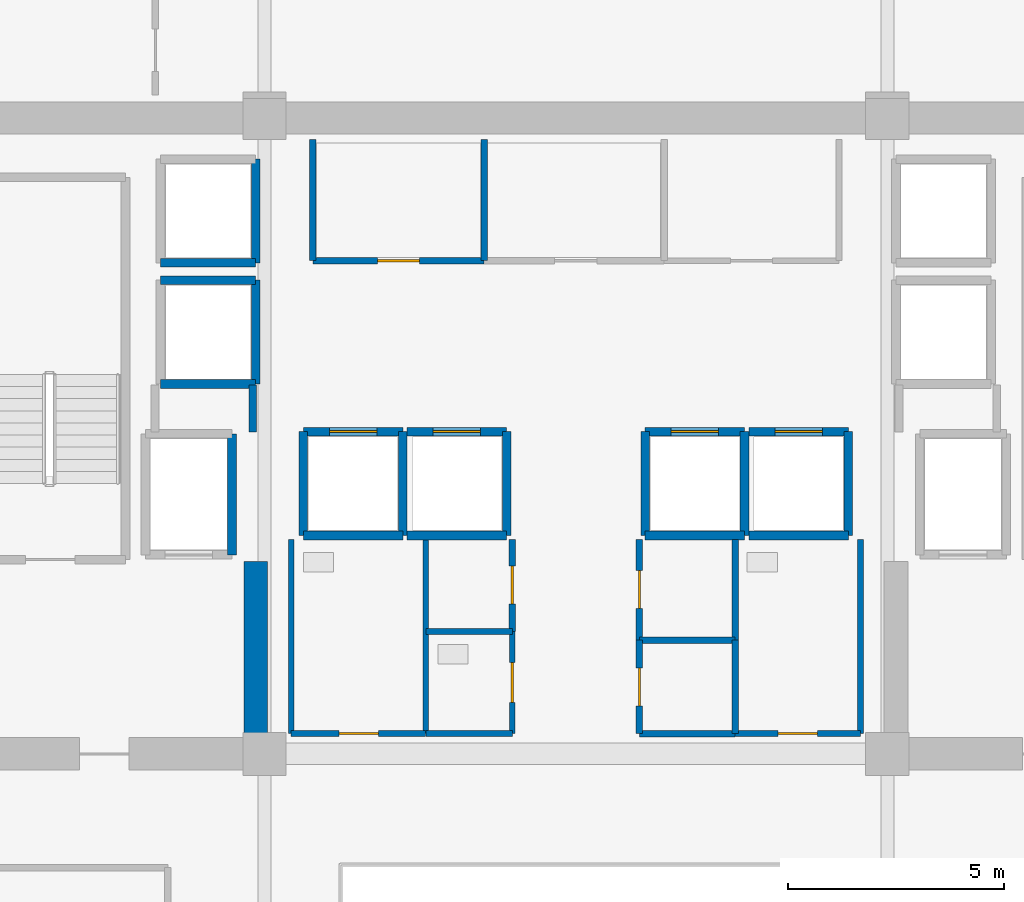
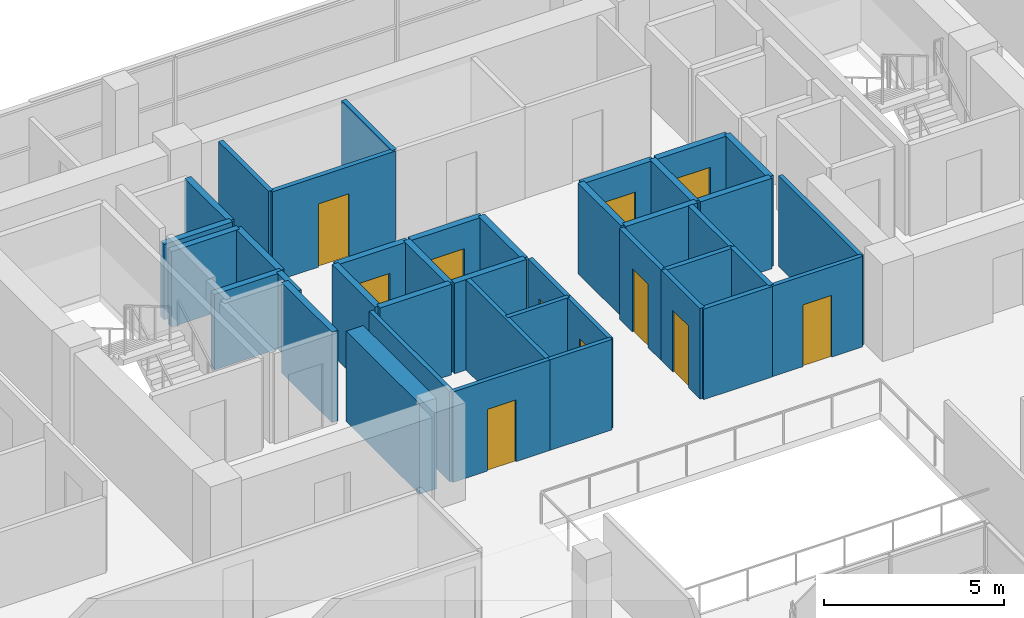
# One storey, part 16 of 22: 40 walls, 11 doors, 11 openings.
"""IFC4 building model written with IfcOpenShell, lengths in metres."""

from ifc_helpers import new_model, si_unit, direction, frame, frame_2d, origin, place, context, subcontext, project, spatial, rectangle, extrude, source, transform, mapped, material, layer, layer_set, type_object, element, fill, save


model = new_model("IFC4")

# Units and contexts
model_context = context("Model", 3, precision=1e-05, world=origin(), true_north=direction((0.0, 1.0)))
body_context = subcontext(model_context, "Body", "Model", "MODEL_VIEW")
ifc_project = project(units=[si_unit("LENGTHUNIT", "METRE"), si_unit("AREAUNIT", "SQUARE_METRE"), si_unit("VOLUMEUNIT", "CUBIC_METRE"), si_unit("PLANEANGLEUNIT", "RADIAN"), si_unit("MASSUNIT", "GRAM", prefix="KILO")], contexts=[model_context])

# Site, building, storey
site_placement = place(None, origin())
site = spatial("IfcSite", under=ifc_project, at=site_placement, CompositionType="ELEMENT")
building_placement = place(site_placement, origin())
building = spatial("IfcBuilding", under=site, at=building_placement, Name="Zarnakvel Exchange Tower", CompositionType="ELEMENT")
storey_placement = place(building_placement, frame((0.0, 0.0, 192.39990234375)))
storey = spatial("IfcBuildingStorey", under=building, at=storey_placement, Name="L54", CompositionType="ELEMENT", Elevation=192.39990234375)

# Wall
ifc_material_1 = material(Name="Concrete C60/75", Category="concrete")
ifc_layer_1 = layer(ifc_material_1, 0.550048828125)
ifc_layer_set_1 = layer_set([ifc_layer_1], Name="Concrete C60/75")
wall_type_1 = type_object("IfcWallType", Name="CW-C4", PredefinedType="SHEAR", material=ifc_layer_set_1)
wall_1_placement = place(storey_placement, frame((-7.39990234375, -0.824951171875, 0.0), z_axis=(0.0, 0.0, 1.0), x_axis=(0.0, 1.0, 0.0)))
element("IfcWall", 1, at=wall_1_placement, inside=storey, type_object=wall_type_1, Name="L54 Rear Core Shear Wall IW (CW-C4)", PredefinedType="SHEAR", context=body_context, shape_type="SweptSolid", body=[
    extrude(rectangle(XDim=4.074951171875, YDim=0.550048828125, at=frame_2d((2.03759765625, 0.0))), origin(), (0.0, 0.0, 1.0), 3.0751953125),
])

# Wall, opening, door
ifc_material_2 = material(Name="Fire-Rated Gypsum Stud Partition", Category="gypsum")
ifc_layer_2 = layer(ifc_material_2, 0.14990234375)
ifc_layer_set_2 = layer_set([ifc_layer_2], Name="Fire-Rated Gypsum Stud Partition")
wall_type_2 = type_object("IfcWallType", Name="PT-01", PredefinedType="PARTITIONING", material=ifc_layer_set_2)
wall_2_placement = place(storey_placement, frame((-2.1201171875, 10.199951171875, 0.0), z_axis=(0.0, 0.0, 1.0), x_axis=(-1.0, 0.0, 0.0)))
wall_2 = element("IfcWall", 2, at=wall_2_placement, inside=storey, type_object=wall_type_2, Name="L54 Partition Wall PWALL-L54-011 (PT-01)", PredefinedType="PARTITIONING", context=body_context, shape_type="SweptSolid", body=[
    extrude(rectangle(XDim=3.9599609375, YDim=0.14990234375, at=frame_2d((1.97998046875, 0.0))), origin(), (0.0, 0.0, 1.0), 3.0751953125),
])
opening_1_placement = place(wall_2_placement, frame((1.489990234375, 0.0, 0.0)))
opening_1 = element("IfcOpeningElement", 3, at=opening_1_placement, cuts=wall_2, Name="Opening D-L54-05", PredefinedType="OPENING", context=body_context, shape_type="SweptSolid", body=[
    extrude(rectangle(XDim=0.97998046875, YDim=2.14990234375, at=frame_2d((0.489990234375, 1.074951171875))), frame((0.0, 0.0849609375, 0.0), z_axis=(0.0, -1.0, 0.0), x_axis=(1.0, 0.0, 0.0)), (0.0, 0.0, 1.0), 0.169921875),
])
ifc_material_3 = material(Name="Timber Acoustic Veneer", Category="wood")
door_type_1 = type_object("IfcDoorType", Name="DT-05", OperationType="NOTDEFINED", PredefinedType="DOOR", material=ifc_material_3)
shared_shape_1 = source(origin(), body_context, "Body", "SweptSolid", [
    extrude(rectangle(XDim=0.97998046875, YDim=2.14990234375, at=frame_2d((0.489990234375, 1.074951171875))), frame((0.0, 0.02490234375, 0.0), z_axis=(0.0, -1.0, 0.0), x_axis=(1.0, 0.0, 0.0)), (0.0, 0.0, 1.0), 0.050048828125),
])
door_1_placement = place(opening_1_placement, origin())
door_1 = element("IfcDoor", 4, at=door_1_placement, inside=storey, type_object=door_type_1, Name="L54 Clearing Records Office Door D-L54-05", OperationType="SINGLE_SWING_RIGHT", OverallHeight=2.14990234375, OverallWidth=0.97998046875, PredefinedType="DOOR", context=body_context, shape_type="MappedRepresentation", body=[
    mapped(shared_shape_1, transform((0.0, 0.0, 0.0), x_axis=(1.0, 0.0, 0.0), y_axis=(0.0, 1.0, 0.0), z_axis=(0.0, 0.0, 1.0), scale=1.0)),
])
fill(opening_1, door_1)

# Walls
for number, where, z_axis, x_axis, name in (
    (5, (-6.080078125, 10.199951171875, 0.0), (0.0, 0.0, 1.0), (0.0, 1.0, 0.0), "L54 Partition Wall PWALL-L54-012 (PT-01)"),
    (6, (-2.1201171875, 13.0, 0.0), (0.0, 0.0, 1.0), (0.0, -1.0, 0.0), "L54 Partition Wall PWALL-L54-013 (PT-01)"),
):
    element("IfcWall", number, at=place(storey_placement, frame(where, z_axis=z_axis, x_axis=x_axis)), inside=storey, type_object=wall_type_2, Name=name, PredefinedType="PARTITIONING", context=body_context, shape_type="SweptSolid", body=[
        extrude(rectangle(XDim=2.800048828125, YDim=0.14990234375, at=frame_2d((1.39990234375, 0.0))), origin(), (0.0, 0.0, 1.0), 3.0751953125),
    ])

# Wall, opening, door
wall_3_placement = place(storey_placement, frame((-1.469970703125, 3.760009765625, 0.0), z_axis=(0.0, 0.0, 1.0), x_axis=(0.0, -1.0, 0.0)))
wall_3 = element("IfcWall", 7, at=wall_3_placement, inside=storey, type_object=wall_type_2, Name="L54 Partition Wall PWALL-L54-024 (PT-01)", PredefinedType="PARTITIONING", context=body_context, shape_type="SweptSolid", body=[
    extrude(rectangle(XDim=2.130126953125, YDim=0.14990234375, at=frame_2d((1.06494140625, 0.0))), origin(), (0.0, 0.0, 1.0), 3.0751953125),
])
opening_2_placement = place(wall_3_placement, frame((0.6201171875, 0.0, 0.0)))
opening_2 = element("IfcOpeningElement", 8, at=opening_2_placement, cuts=wall_3, Name="Opening D-L54-10", PredefinedType="OPENING", context=body_context, shape_type="SweptSolid", body=[
    extrude(rectangle(XDim=0.8798828125, YDim=2.10009765625, at=frame_2d((0.43994140625, 1.050048828125))), frame((0.0, 0.0849609375, 0.0), z_axis=(0.0, -1.0, 0.0), x_axis=(1.0, 0.0, 0.0)), (0.0, 0.0, 1.0), 0.169921875),
])
ifc_material_4 = material(Name="Painted Galvanised Steel S355", Category="steel")
door_type_2 = type_object("IfcDoorType", Name="DT-08", OperationType="NOTDEFINED", PredefinedType="DOOR", material=ifc_material_4)
shared_shape_2 = source(origin(), body_context, "Body", "SweptSolid", [
    extrude(rectangle(XDim=0.8798828125, YDim=2.10009765625, at=frame_2d((0.43994140625, 1.050048828125))), frame((0.0, 0.02490234375, 0.0), z_axis=(0.0, -1.0, 0.0), x_axis=(1.0, 0.0, 0.0)), (0.0, 0.0, 1.0), 0.050048828125),
])
door_2_placement = place(opening_2_placement, origin())
door_2 = element("IfcDoor", 9, at=door_2_placement, inside=storey, type_object=door_type_2, Name="L54 Core Comms Room Door D-L54-10", OperationType="SINGLE_SWING_LEFT", OverallHeight=2.10009765625, OverallWidth=0.8798828125, PredefinedType="DOOR", context=body_context, shape_type="MappedRepresentation", body=[
    mapped(shared_shape_2, transform((0.0, 0.0, 0.0), x_axis=(1.0, 0.0, 0.0), y_axis=(0.0, 1.0, 0.0), z_axis=(0.0, 0.0, 1.0), scale=1.0)),
])
fill(opening_2, door_2)

# Walls
for number, where, z_axis, x_axis, name in (
    (10, (3.679931640625, -0.72998046875, 0.0), (0.0, 0.0, 1.0), (-1.0, 0.0, 0.0), "L54 Partition Wall PWALL-L54-025 (PT-01)"),
    (11, (1.469970703125, 1.429931640625, 0.0), (0.0, 0.0, 1.0), (1.0, 0.0, 0.0), "L54 Partition Wall PWALL-L54-026 (PT-01)"),
):
    element("IfcWall", number, at=place(storey_placement, frame(where, z_axis=z_axis, x_axis=x_axis)), inside=storey, type_object=wall_type_2, Name=name, PredefinedType="PARTITIONING", context=body_context, shape_type="SweptSolid", body=[
        extrude(rectangle(XDim=2.2099609375, YDim=0.14990234375, at=frame_2d((1.10498046875, 0.0))), origin(), (0.0, 0.0, 1.0), 3.0751953125),
    ])

# Wall, opening, door
wall_4_placement = place(storey_placement, frame((1.469970703125, -0.72998046875, 0.0), z_axis=(0.0, 0.0, 1.0), x_axis=(0.0, 1.0, 0.0)))
wall_4 = element("IfcWall", 12, at=wall_4_placement, inside=storey, type_object=wall_type_2, Name="L54 Partition Wall PWALL-L54-027 (PT-01)", PredefinedType="PARTITIONING", context=body_context, shape_type="SweptSolid", body=[
    extrude(rectangle(XDim=2.159912109375, YDim=0.14990234375, at=frame_2d((1.080078125, 0.0))), origin(), (0.0, 0.0, 1.0), 3.0751953125),
])
opening_3_placement = place(wall_4_placement, frame((0.639892578125, 0.0, 0.0)))
opening_3 = element("IfcOpeningElement", 13, at=opening_3_placement, cuts=wall_4, Name="Opening D-L54-11", PredefinedType="OPENING", context=body_context, shape_type="SweptSolid", body=[
    extrude(rectangle(XDim=0.8798828125, YDim=2.10009765625, at=frame_2d((0.43994140625, 1.050048828125))), frame((0.0, 0.0849609375, 0.0), z_axis=(0.0, -1.0, 0.0), x_axis=(1.0, 0.0, 0.0)), (0.0, 0.0, 1.0), 0.169921875),
])
door_3_placement = place(opening_3_placement, origin())
door_3 = element("IfcDoor", 14, at=door_3_placement, inside=storey, type_object=door_type_2, Name="L54 Janitor Store Door D-L54-11", OperationType="SINGLE_SWING_RIGHT", OverallHeight=2.10009765625, OverallWidth=0.8798828125, PredefinedType="DOOR", context=body_context, shape_type="MappedRepresentation", body=[
    mapped(shared_shape_2, transform((0.0, 0.0, 0.0), x_axis=(1.0, 0.0, 0.0), y_axis=(0.0, 1.0, 0.0), z_axis=(0.0, 0.0, 1.0), scale=1.0)),
])
fill(opening_3, door_3)

# Wall
wall_5_placement = place(storey_placement, frame((3.679931640625, 1.429931640625, 0.0), z_axis=(0.0, 0.0, 1.0), x_axis=(0.0, -1.0, 0.0)))
element("IfcWall", 15, at=wall_5_placement, inside=storey, type_object=wall_type_2, Name="L54 Partition Wall PWALL-L54-028 (PT-01)", PredefinedType="PARTITIONING", context=body_context, shape_type="SweptSolid", body=[
    extrude(rectangle(XDim=2.159912109375, YDim=0.14990234375, at=frame_2d((1.080078125, 0.0))), origin(), (0.0, 0.0, 1.0), 3.0751953125),
])

# Wall, opening, door
wall_6_placement = place(storey_placement, frame((1.469970703125, 1.429931640625, 0.0), z_axis=(0.0, 0.0, 1.0), x_axis=(0.0, 1.0, 0.0)))
wall_6 = element("IfcWall", 16, at=wall_6_placement, inside=storey, type_object=wall_type_2, Name="L54 Partition Wall PWALL-L54-029 (PT-01)", PredefinedType="PARTITIONING", context=body_context, shape_type="SweptSolid", body=[
    extrude(rectangle(XDim=2.330078125, YDim=0.14990234375, at=frame_2d((1.1650390625, 0.0))), origin(), (0.0, 0.0, 1.0), 3.0751953125),
])
opening_4_placement = place(wall_6_placement, frame((0.72998046875, 0.0, 0.0)))
opening_4 = element("IfcOpeningElement", 17, at=opening_4_placement, cuts=wall_6, Name="Opening D-L54-12", PredefinedType="OPENING", context=body_context, shape_type="SweptSolid", body=[
    extrude(rectangle(XDim=0.8798828125, YDim=2.14990234375, at=frame_2d((0.43994140625, 1.074951171875))), frame((0.0, 0.0849609375, 0.0), z_axis=(0.0, -1.0, 0.0), x_axis=(1.0, 0.0, 0.0)), (0.0, 0.0, 1.0), 0.169921875),
])
shared_shape_3 = source(origin(), body_context, "Body", "SweptSolid", [
    extrude(rectangle(XDim=0.8798828125, YDim=2.14990234375, at=frame_2d((0.43994140625, 1.074951171875))), frame((0.0, 0.02490234375, 0.0), z_axis=(0.0, -1.0, 0.0), x_axis=(1.0, 0.0, 0.0)), (0.0, 0.0, 1.0), 0.050048828125),
])
door_4_placement = place(opening_4_placement, origin())
door_4 = element("IfcDoor", 18, at=door_4_placement, inside=storey, type_object=door_type_1, Name="L54 Stationery Store Door D-L54-12", OperationType="SINGLE_SWING_LEFT", OverallHeight=2.14990234375, OverallWidth=0.8798828125, PredefinedType="DOOR", context=body_context, shape_type="MappedRepresentation", body=[
    mapped(shared_shape_3, transform((0.0, 0.0, 0.0), x_axis=(1.0, 0.0, 0.0), y_axis=(0.0, 1.0, 0.0), z_axis=(0.0, 0.0, 1.0), scale=1.0)),
])
fill(opening_4, door_4)

# Walls
wall_7_placement = place(storey_placement, frame((3.679931640625, 3.760009765625, 0.0), z_axis=(0.0, 0.0, 1.0), x_axis=(0.0, -1.0, 0.0)))
element("IfcWall", 19, at=wall_7_placement, inside=storey, type_object=wall_type_2, Name="L54 Partition Wall PWALL-L54-030 (PT-01)", PredefinedType="PARTITIONING", context=body_context, shape_type="SweptSolid", body=[
    extrude(rectangle(XDim=2.330078125, YDim=0.14990234375, at=frame_2d((1.1650390625, 0.0))), origin(), (0.0, 0.0, 1.0), 3.0751953125),
])
ifc_layer_3 = layer(ifc_material_2, 0.179931640625)
ifc_layer_set_3 = layer_set([ifc_layer_3], Name="Fire-Rated Gypsum Stud Partition")
wall_type_3 = type_object("IfcWallType", Name="PT-02", PredefinedType="PARTITIONING", material=ifc_layer_set_3)
wall_8_placement = place(storey_placement, frame((-7.469970703125, 7.330078125, 0.0), z_axis=(0.0, 0.0, 1.0), x_axis=(0.0, -1.0, 0.0)))
element("IfcWall", 20, at=wall_8_placement, inside=storey, type_object=wall_type_3, Name="L54 Partition Wall PWALL-L54-008 (PT-02)", PredefinedType="PARTITIONING", context=body_context, shape_type="SweptSolid", body=[
    extrude(rectangle(XDim=1.090087890625, YDim=0.179931640625, at=frame_2d((0.544921875, 0.0))), origin(), (0.0, 0.0, 1.0), 2.565185546875),
])

# Wall, opening, door
ifc_material_5 = material(Name="Moisture-Resistant Tile-Faced Partition", Category="gypsum")
ifc_layer_4 = layer(ifc_material_5, 0.135009765625)
ifc_layer_set_4 = layer_set([ifc_layer_4], Name="Moisture-Resistant Tile-Faced Partition")
wall_type_4 = type_object("IfcWallType", Name="PT-03", PredefinedType="PARTITIONING", material=ifc_layer_set_4)
wall_9_placement = place(storey_placement, frame((-3.469970703125, -0.72998046875, 0.0), z_axis=(0.0, 0.0, 1.0), x_axis=(-1.0, 0.0, 0.0)))
wall_9 = element("IfcWall", 21, at=wall_9_placement, inside=storey, type_object=wall_type_4, Name="L54 Partition Wall PWALL-L54-018 (PT-03)", PredefinedType="PARTITIONING", context=body_context, shape_type="SweptSolid", body=[
    extrude(rectangle(XDim=3.110107421875, YDim=0.135009765625, at=frame_2d((1.55517578125, 0.0))), origin(), (0.0, 0.0, 1.0), 3.0751953125),
])
opening_5_placement = place(wall_9_placement, frame((1.090087890625, 0.0, 0.0)))
opening_5 = element("IfcOpeningElement", 22, at=opening_5_placement, cuts=wall_9, Name="Opening D-L54-08", PredefinedType="OPENING", context=body_context, shape_type="SweptSolid", body=[
    extrude(rectangle(XDim=0.919921875, YDim=2.10009765625, at=frame_2d((0.4599609375, 1.050048828125))), frame((0.0, 0.077392578125, 0.0), z_axis=(0.0, -1.0, 0.0), x_axis=(1.0, 0.0, 0.0)), (0.0, 0.0, 1.0), 0.155029296875),
])
ifc_material_6 = material(Name="Moisture-Resistant Laminate Timber", Category="wood")
door_type_3 = type_object("IfcDoorType", Name="DT-07", OperationType="NOTDEFINED", PredefinedType="DOOR", material=ifc_material_6)
shared_shape_4 = source(origin(), body_context, "Body", "SweptSolid", [
    extrude(rectangle(XDim=0.919921875, YDim=2.10009765625, at=frame_2d((0.4599609375, 1.050048828125))), frame((0.0, 0.02490234375, 0.0), z_axis=(0.0, -1.0, 0.0), x_axis=(1.0, 0.0, 0.0)), (0.0, 0.0, 1.0), 0.050048828125),
])
door_5_placement = place(opening_5_placement, origin())
door_5 = element("IfcDoor", 23, at=door_5_placement, inside=storey, type_object=door_type_3, Name="L54 Male Toilet Door D-L54-08", OperationType="SINGLE_SWING_LEFT", OverallHeight=2.10009765625, OverallWidth=0.919921875, PredefinedType="DOOR", context=body_context, shape_type="MappedRepresentation", body=[
    mapped(shared_shape_4, transform((0.0, 0.0, 0.0), x_axis=(1.0, 0.0, 0.0), y_axis=(0.0, 1.0, 0.0), z_axis=(0.0, 0.0, 1.0), scale=1.0)),
])
fill(opening_5, door_5)

# Walls
for number, where, z_axis, x_axis, name in (
    (24, (-6.580078125, -0.72998046875, 0.0), (0.0, 0.0, 1.0), (0.0, 1.0, 0.0), "L54 Partition Wall PWALL-L54-019 (PT-03)"),
    (25, (-3.469970703125, 3.760009765625, 0.0), (0.0, 0.0, 1.0), (0.0, -1.0, 0.0), "L54 Partition Wall PWALL-L54-020 (PT-03)"),
):
    element("IfcWall", number, at=place(storey_placement, frame(where, z_axis=z_axis, x_axis=x_axis)), inside=storey, type_object=wall_type_4, Name=name, PredefinedType="PARTITIONING", context=body_context, shape_type="SweptSolid", body=[
        extrude(rectangle(XDim=4.489990234375, YDim=0.135009765625, at=frame_2d((2.2451171875, 0.0))), origin(), (0.0, 0.0, 1.0), 3.0751953125),
    ])
for number, where, z_axis, x_axis, name in (
    (26, (-1.469970703125, -0.72998046875, 0.0), (0.0, 0.0, 1.0), (-1.0, 0.0, 0.0), "L54 Partition Wall PWALL-L54-021 (PT-03)"),
    (27, (-3.469970703125, 1.6298828125, 0.0), (0.0, 0.0, 1.0), (1.0, 0.0, 0.0), "L54 Partition Wall PWALL-L54-022 (PT-03)"),
):
    element("IfcWall", number, at=place(storey_placement, frame(where, z_axis=z_axis, x_axis=x_axis)), inside=storey, type_object=wall_type_4, Name=name, PredefinedType="PARTITIONING", context=body_context, shape_type="SweptSolid", body=[
        extrude(rectangle(XDim=2.0, YDim=0.135009765625, at=frame_2d((1.0, 0.0))), origin(), (0.0, 0.0, 1.0), 3.0751953125),
    ])

# Wall, opening, door
wall_10_placement = place(storey_placement, frame((-1.469970703125, 1.6298828125, 0.0), z_axis=(0.0, 0.0, 1.0), x_axis=(0.0, -1.0, 0.0)))
wall_10 = element("IfcWall", 28, at=wall_10_placement, inside=storey, type_object=wall_type_4, Name="L54 Partition Wall PWALL-L54-023 (PT-03)", PredefinedType="PARTITIONING", context=body_context, shape_type="SweptSolid", body=[
    extrude(rectangle(XDim=2.35986328125, YDim=0.135009765625, at=frame_2d((1.179931640625, 0.0))), origin(), (0.0, 0.0, 1.0), 3.0751953125),
])
opening_6_placement = place(wall_10_placement, frame((0.719970703125, 0.0, 0.0)))
opening_6 = element("IfcOpeningElement", 29, at=opening_6_placement, cuts=wall_10, Name="Opening D-L54-09", PredefinedType="OPENING", context=body_context, shape_type="SweptSolid", body=[
    extrude(rectangle(XDim=0.919921875, YDim=2.10009765625, at=frame_2d((0.4599609375, 1.050048828125))), frame((0.0, 0.077392578125, 0.0), z_axis=(0.0, -1.0, 0.0), x_axis=(1.0, 0.0, 0.0)), (0.0, 0.0, 1.0), 0.155029296875),
])
door_6_placement = place(opening_6_placement, origin())
door_6 = element("IfcDoor", 30, at=door_6_placement, inside=storey, type_object=door_type_3, Name="L54 Accessible Toilet Door D-L54-09", OperationType="SINGLE_SWING_RIGHT", OverallHeight=2.10009765625, OverallWidth=0.919921875, PredefinedType="DOOR", context=body_context, shape_type="MappedRepresentation", body=[
    mapped(shared_shape_4, transform((0.0, 0.0, 0.0), x_axis=(1.0, 0.0, 0.0), y_axis=(0.0, 1.0, 0.0), z_axis=(0.0, 0.0, 1.0), scale=1.0)),
])
fill(opening_6, door_6)

wall_11_placement = place(storey_placement, frame((6.580078125, -0.72998046875, 0.0), z_axis=(0.0, 0.0, 1.0), x_axis=(-1.0, 0.0, 0.0)))
wall_11 = element("IfcWall", 31, at=wall_11_placement, inside=storey, type_object=wall_type_4, Name="L54 Partition Wall PWALL-L54-031 (PT-03)", PredefinedType="PARTITIONING", context=body_context, shape_type="SweptSolid", body=[
    extrude(rectangle(XDim=2.900146484375, YDim=0.135009765625, at=frame_2d((1.4501953125, 0.0))), origin(), (0.0, 0.0, 1.0), 3.0751953125),
])
opening_7_placement = place(wall_11_placement, frame((0.989990234375, 0.0, 0.0)))
opening_7 = element("IfcOpeningElement", 32, at=opening_7_placement, cuts=wall_11, Name="Opening D-L54-13", PredefinedType="OPENING", context=body_context, shape_type="SweptSolid", body=[
    extrude(rectangle(XDim=0.919921875, YDim=2.10009765625, at=frame_2d((0.4599609375, 1.050048828125))), frame((0.0, 0.077392578125, 0.0), z_axis=(0.0, -1.0, 0.0), x_axis=(1.0, 0.0, 0.0)), (0.0, 0.0, 1.0), 0.155029296875),
])
door_7_placement = place(opening_7_placement, origin())
door_7 = element("IfcDoor", 33, at=door_7_placement, inside=storey, type_object=door_type_3, Name="L54 Female Toilet Door D-L54-13", OperationType="SINGLE_SWING_RIGHT", OverallHeight=2.10009765625, OverallWidth=0.919921875, PredefinedType="DOOR", context=body_context, shape_type="MappedRepresentation", body=[
    mapped(shared_shape_4, transform((0.0, 0.0, 0.0), x_axis=(1.0, 0.0, 0.0), y_axis=(0.0, 1.0, 0.0), z_axis=(0.0, 0.0, 1.0), scale=1.0)),
])
fill(opening_7, door_7)

# Walls
wall_12_placement = place(storey_placement, frame((6.580078125, 3.760009765625, 0.0), z_axis=(0.0, 0.0, 1.0), x_axis=(0.0, -1.0, 0.0)))
element("IfcWall", 34, at=wall_12_placement, inside=storey, type_object=wall_type_4, Name="L54 Partition Wall PWALL-L54-032 (PT-03)", PredefinedType="PARTITIONING", context=body_context, shape_type="SweptSolid", body=[
    extrude(rectangle(XDim=4.489990234375, YDim=0.135009765625, at=frame_2d((2.2451171875, 0.0))), origin(), (0.0, 0.0, 1.0), 3.0751953125),
])
ifc_material_7 = material(Name="Concrete C40/50", Category="concrete")
ifc_layer_5 = layer(ifc_material_7, 0.199951171875)
ifc_layer_set_5 = layer_set([ifc_layer_5], Name="Concrete C40/50")
wall_type_5 = type_object("IfcWallType", Name="SW-01", PredefinedType="SOLIDWALL", material=ifc_layer_set_5)
wall_13_placement = place(storey_placement, frame((-7.949951171875, 6.199951171875, 0.0), z_axis=(0.0, 0.0, 1.0), x_axis=(0.0, -1.0, 0.0)))
element("IfcWall", 35, at=wall_13_placement, inside=storey, type_object=wall_type_5, Name="L54 FL-01 Hoistway Wall East", PredefinedType="SOLIDWALL", context=body_context, shape_type="SweptSolid", body=[
    extrude(rectangle(XDim=2.800048828125, YDim=0.199951171875, at=frame_2d((1.39990234375, 0.0))), origin(), (0.0, 0.0, 1.0), 3.0751953125),
])
wall_14_placement = place(storey_placement, frame((-4.0, 3.85009765625, 0.0), z_axis=(0.0, 0.0, 1.0), x_axis=(-1.0, 0.0, 0.0)))
element("IfcWall", 36, at=wall_14_placement, inside=storey, type_object=wall_type_5, Name="L54 PL-05 Hoistway Wall South", PredefinedType="SOLIDWALL", context=body_context, shape_type="SweptSolid", body=[
    extrude(rectangle(XDim=2.300048828125, YDim=0.199951171875, at=frame_2d((1.14990234375, 0.0))), origin(), (0.0, 0.0, 1.0), 3.0751953125),
])

# Wall, opening, door
wall_15_placement = place(storey_placement, frame((-6.300048828125, 6.25, 0.0), z_axis=(0.0, 0.0, 1.0), x_axis=(1.0, 0.0, 0.0)))
wall_15 = element("IfcWall", 37, at=wall_15_placement, inside=storey, type_object=wall_type_5, Name="L54 PL-05 Hoistway Wall North", PredefinedType="SOLIDWALL", context=body_context, shape_type="SweptSolid", body=[
    extrude(rectangle(XDim=2.300048828125, YDim=0.199951171875, at=frame_2d((1.14990234375, 0.0))), origin(), (0.0, 0.0, 1.0), 3.0751953125),
])
opening_8_placement = place(wall_15_placement, frame((0.60009765625, 0.0, 0.0)))
opening_8 = element("IfcOpeningElement", 38, at=opening_8_placement, cuts=wall_15, Name="Opening LD-PL-05-L54", PredefinedType="OPENING", context=body_context, shape_type="SweptSolid", body=[
    extrude(rectangle(XDim=1.10009765625, YDim=2.199951171875, at=frame_2d((0.550048828125, 1.10009765625))), frame((0.0, 0.10986328125, 0.0), z_axis=(0.0, -1.0, 0.0), x_axis=(1.0, 0.0, 0.0)), (0.0, 0.0, 1.0), 0.219970703125),
])
ifc_material_8 = material(Name="Architectural Bronze Anodised Aluminium", Category="aluminium")
door_type_4 = type_object("IfcDoorType", Name="LDT-02", OperationType="NOTDEFINED", PredefinedType="DOOR", material=ifc_material_8)
shared_shape_5 = source(origin(), body_context, "Body", "SweptSolid", [
    extrude(rectangle(XDim=1.10009765625, YDim=2.199951171875, at=frame_2d((0.550048828125, 1.10009765625))), frame((0.0, 0.02490234375, 0.0), z_axis=(0.0, -1.0, 0.0), x_axis=(1.0, 0.0, 0.0)), (0.0, 0.0, 1.0), 0.050048828125),
])
door_8_placement = place(opening_8_placement, origin())
door_8 = element("IfcDoor", 39, at=door_8_placement, inside=storey, type_object=door_type_4, Name="L54 PL-05 Lift Landing Door LD-PL-05-L54", OperationType="DOUBLE_DOOR_SLIDING", OverallHeight=2.199951171875, OverallWidth=1.10009765625, PredefinedType="DOOR", context=body_context, shape_type="MappedRepresentation", body=[
    mapped(shared_shape_5, transform((0.0, 0.0, 0.0), x_axis=(1.0, 0.0, 0.0), y_axis=(0.0, 1.0, 0.0), z_axis=(0.0, 0.0, 1.0), scale=1.0)),
])
fill(opening_8, door_8)

# Walls
for number, where, z_axis, x_axis, name in (
    (40, (-6.300048828125, 3.85009765625, 0.0), (0.0, 0.0, 1.0), (0.0, 1.0, 0.0), "L54 PL-05 Hoistway Wall West"),
    (41, (-4.0, 6.25, 0.0), (0.0, 0.0, 1.0), (0.0, -1.0, 0.0), "L54 PL-05 Hoistway Wall East"),
):
    element("IfcWall", number, at=place(storey_placement, frame(where, z_axis=z_axis, x_axis=x_axis)), inside=storey, type_object=wall_type_5, Name=name, PredefinedType="SOLIDWALL", context=body_context, shape_type="SweptSolid", body=[
        extrude(rectangle(XDim=2.39990234375, YDim=0.199951171875, at=frame_2d((1.199951171875, 0.0))), origin(), (0.0, 0.0, 1.0), 3.0751953125),
    ])
wall_16_placement = place(storey_placement, frame((-1.60009765625, 3.85009765625, 0.0), z_axis=(0.0, 0.0, 1.0), x_axis=(-1.0, 0.0, 0.0)))
element("IfcWall", 42, at=wall_16_placement, inside=storey, type_object=wall_type_5, Name="L54 PL-06 Hoistway Wall South", PredefinedType="SOLIDWALL", context=body_context, shape_type="SweptSolid", body=[
    extrude(rectangle(XDim=2.2998046875, YDim=0.199951171875, at=frame_2d((1.14990234375, 0.0))), origin(), (0.0, 0.0, 1.0), 3.0751953125),
])

# Wall, opening, door
wall_17_placement = place(storey_placement, frame((-3.89990234375, 6.25, 0.0), z_axis=(0.0, 0.0, 1.0), x_axis=(1.0, 0.0, 0.0)))
wall_17 = element("IfcWall", 43, at=wall_17_placement, inside=storey, type_object=wall_type_5, Name="L54 PL-06 Hoistway Wall North", PredefinedType="SOLIDWALL", context=body_context, shape_type="SweptSolid", body=[
    extrude(rectangle(XDim=2.2998046875, YDim=0.199951171875, at=frame_2d((1.14990234375, 0.0))), origin(), (0.0, 0.0, 1.0), 3.0751953125),
])
opening_9_placement = place(wall_17_placement, frame((0.60009765625, 0.0, 0.0)))
opening_9 = element("IfcOpeningElement", 44, at=opening_9_placement, cuts=wall_17, Name="Opening LD-PL-06-L54", PredefinedType="OPENING", context=body_context, shape_type="SweptSolid", body=[
    extrude(rectangle(XDim=1.10009765625, YDim=2.199951171875, at=frame_2d((0.550048828125, 1.10009765625))), frame((0.0, 0.10986328125, 0.0), z_axis=(0.0, -1.0, 0.0), x_axis=(1.0, 0.0, 0.0)), (0.0, 0.0, 1.0), 0.219970703125),
])
door_9_placement = place(opening_9_placement, origin())
door_9 = element("IfcDoor", 45, at=door_9_placement, inside=storey, type_object=door_type_4, Name="L54 PL-06 Lift Landing Door LD-PL-06-L54", OperationType="DOUBLE_DOOR_SLIDING", OverallHeight=2.199951171875, OverallWidth=1.10009765625, PredefinedType="DOOR", context=body_context, shape_type="MappedRepresentation", body=[
    mapped(shared_shape_5, transform((0.0, 0.0, 0.0), x_axis=(1.0, 0.0, 0.0), y_axis=(0.0, 1.0, 0.0), z_axis=(0.0, 0.0, 1.0), scale=1.0)),
])
fill(opening_9, door_9)

# Walls
wall_18_placement = place(storey_placement, frame((-1.60009765625, 6.25, 0.0), z_axis=(0.0, 0.0, 1.0), x_axis=(0.0, -1.0, 0.0)))
element("IfcWall", 46, at=wall_18_placement, inside=storey, type_object=wall_type_5, Name="L54 PL-06 Hoistway Wall East", PredefinedType="SOLIDWALL", context=body_context, shape_type="SweptSolid", body=[
    extrude(rectangle(XDim=2.39990234375, YDim=0.199951171875, at=frame_2d((1.199951171875, 0.0))), origin(), (0.0, 0.0, 1.0), 3.0751953125),
])
wall_19_placement = place(storey_placement, frame((3.89990234375, 3.85009765625, 0.0), z_axis=(0.0, 0.0, 1.0), x_axis=(-1.0, 0.0, 0.0)))
element("IfcWall", 47, at=wall_19_placement, inside=storey, type_object=wall_type_5, Name="L54 PL-07 Hoistway Wall South", PredefinedType="SOLIDWALL", context=body_context, shape_type="SweptSolid", body=[
    extrude(rectangle(XDim=2.2998046875, YDim=0.199951171875, at=frame_2d((1.14990234375, 0.0))), origin(), (0.0, 0.0, 1.0), 3.0751953125),
])

# Wall, opening, door
wall_20_placement = place(storey_placement, frame((1.60009765625, 6.25, 0.0), z_axis=(0.0, 0.0, 1.0), x_axis=(1.0, 0.0, 0.0)))
wall_20 = element("IfcWall", 48, at=wall_20_placement, inside=storey, type_object=wall_type_5, Name="L54 PL-07 Hoistway Wall North", PredefinedType="SOLIDWALL", context=body_context, shape_type="SweptSolid", body=[
    extrude(rectangle(XDim=2.2998046875, YDim=0.199951171875, at=frame_2d((1.14990234375, 0.0))), origin(), (0.0, 0.0, 1.0), 3.0751953125),
])
opening_10_placement = place(wall_20_placement, frame((0.60009765625, 0.0, 0.0)))
opening_10 = element("IfcOpeningElement", 49, at=opening_10_placement, cuts=wall_20, Name="Opening LD-PL-07-L54", PredefinedType="OPENING", context=body_context, shape_type="SweptSolid", body=[
    extrude(rectangle(XDim=1.10009765625, YDim=2.199951171875, at=frame_2d((0.550048828125, 1.10009765625))), frame((0.0, 0.10986328125, 0.0), z_axis=(0.0, -1.0, 0.0), x_axis=(1.0, 0.0, 0.0)), (0.0, 0.0, 1.0), 0.219970703125),
])
door_10_placement = place(opening_10_placement, origin())
door_10 = element("IfcDoor", 50, at=door_10_placement, inside=storey, type_object=door_type_4, Name="L54 PL-07 Lift Landing Door LD-PL-07-L54", OperationType="DOUBLE_DOOR_SLIDING", OverallHeight=2.199951171875, OverallWidth=1.10009765625, PredefinedType="DOOR", context=body_context, shape_type="MappedRepresentation", body=[
    mapped(shared_shape_5, transform((0.0, 0.0, 0.0), x_axis=(1.0, 0.0, 0.0), y_axis=(0.0, 1.0, 0.0), z_axis=(0.0, 0.0, 1.0), scale=1.0)),
])
fill(opening_10, door_10)

# Walls
for number, where, z_axis, x_axis, name in (
    (51, (1.60009765625, 3.85009765625, 0.0), (0.0, 0.0, 1.0), (0.0, 1.0, 0.0), "L54 PL-07 Hoistway Wall West"),
    (52, (3.89990234375, 6.25, 0.0), (0.0, 0.0, 1.0), (0.0, -1.0, 0.0), "L54 PL-07 Hoistway Wall East"),
):
    element("IfcWall", number, at=place(storey_placement, frame(where, z_axis=z_axis, x_axis=x_axis)), inside=storey, type_object=wall_type_5, Name=name, PredefinedType="SOLIDWALL", context=body_context, shape_type="SweptSolid", body=[
        extrude(rectangle(XDim=2.39990234375, YDim=0.199951171875, at=frame_2d((1.199951171875, 0.0))), origin(), (0.0, 0.0, 1.0), 3.0751953125),
    ])
wall_21_placement = place(storey_placement, frame((6.300048828125, 3.85009765625, 0.0), z_axis=(0.0, 0.0, 1.0), x_axis=(-1.0, 0.0, 0.0)))
element("IfcWall", 53, at=wall_21_placement, inside=storey, type_object=wall_type_5, Name="L54 PL-08 Hoistway Wall South", PredefinedType="SOLIDWALL", context=body_context, shape_type="SweptSolid", body=[
    extrude(rectangle(XDim=2.300048828125, YDim=0.199951171875, at=frame_2d((1.14990234375, 0.0))), origin(), (0.0, 0.0, 1.0), 3.0751953125),
])

# Wall, opening, door
wall_22_placement = place(storey_placement, frame((4.0, 6.25, 0.0), z_axis=(0.0, 0.0, 1.0), x_axis=(1.0, 0.0, 0.0)))
wall_22 = element("IfcWall", 54, at=wall_22_placement, inside=storey, type_object=wall_type_5, Name="L54 PL-08 Hoistway Wall North", PredefinedType="SOLIDWALL", context=body_context, shape_type="SweptSolid", body=[
    extrude(rectangle(XDim=2.300048828125, YDim=0.199951171875, at=frame_2d((1.14990234375, 0.0))), origin(), (0.0, 0.0, 1.0), 3.0751953125),
])
opening_11_placement = place(wall_22_placement, frame((0.60009765625, 0.0, 0.0)))
opening_11 = element("IfcOpeningElement", 55, at=opening_11_placement, cuts=wall_22, Name="Opening LD-PL-08-L54", PredefinedType="OPENING", context=body_context, shape_type="SweptSolid", body=[
    extrude(rectangle(XDim=1.10009765625, YDim=2.199951171875, at=frame_2d((0.550048828125, 1.10009765625))), frame((0.0, 0.10986328125, 0.0), z_axis=(0.0, -1.0, 0.0), x_axis=(1.0, 0.0, 0.0)), (0.0, 0.0, 1.0), 0.219970703125),
])
door_11_placement = place(opening_11_placement, origin())
door_11 = element("IfcDoor", 56, at=door_11_placement, inside=storey, type_object=door_type_4, Name="L54 PL-08 Lift Landing Door LD-PL-08-L54", OperationType="DOUBLE_DOOR_SLIDING", OverallHeight=2.199951171875, OverallWidth=1.10009765625, PredefinedType="DOOR", context=body_context, shape_type="MappedRepresentation", body=[
    mapped(shared_shape_5, transform((0.0, 0.0, 0.0), x_axis=(1.0, 0.0, 0.0), y_axis=(0.0, 1.0, 0.0), z_axis=(0.0, 0.0, 1.0), scale=1.0)),
])
fill(opening_11, door_11)

# Walls
wall_23_placement = place(storey_placement, frame((6.300048828125, 6.25, 0.0), z_axis=(0.0, 0.0, 1.0), x_axis=(0.0, -1.0, 0.0)))
element("IfcWall", 57, at=wall_23_placement, inside=storey, type_object=wall_type_5, Name="L54 PL-08 Hoistway Wall East", PredefinedType="SOLIDWALL", context=body_context, shape_type="SweptSolid", body=[
    extrude(rectangle(XDim=2.39990234375, YDim=0.199951171875, at=frame_2d((1.199951171875, 0.0))), origin(), (0.0, 0.0, 1.0), 3.0751953125),
])
for number, where, z_axis, x_axis, name in (
    (58, (-7.39990234375, 7.35009765625, 0.0), (0.0, 0.0, 1.0), (-1.0, 0.0, 0.0), "L54 PL-09 Hoistway Wall South"),
    (59, (-9.60009765625, 9.75, 0.0), (0.0, 0.0, 1.0), (1.0, 0.0, 0.0), "L54 PL-09 Hoistway Wall North"),
):
    element("IfcWall", number, at=place(storey_placement, frame(where, z_axis=z_axis, x_axis=x_axis)), inside=storey, type_object=wall_type_5, Name=name, PredefinedType="SOLIDWALL", context=body_context, shape_type="SweptSolid", body=[
        extrude(rectangle(XDim=2.2001953125, YDim=0.199951171875, at=frame_2d((1.10009765625, 0.0))), origin(), (0.0, 0.0, 1.0), 2.565185546875),
    ])
wall_24_placement = place(storey_placement, frame((-7.39990234375, 9.75, 0.0), z_axis=(0.0, 0.0, 1.0), x_axis=(0.0, -1.0, 0.0)))
element("IfcWall", 60, at=wall_24_placement, inside=storey, type_object=wall_type_5, Name="L54 PL-09 Hoistway Wall East", PredefinedType="SOLIDWALL", context=body_context, shape_type="SweptSolid", body=[
    extrude(rectangle(XDim=2.39990234375, YDim=0.199951171875, at=frame_2d((1.199951171875, 0.0))), origin(), (0.0, 0.0, 1.0), 2.565185546875),
])
wall_25_placement = place(storey_placement, frame((-7.39990234375, 10.14990234375, 0.0), z_axis=(0.0, 0.0, 1.0), x_axis=(-1.0, 0.0, 0.0)))
element("IfcWall", 61, at=wall_25_placement, inside=storey, type_object=wall_type_5, Name="L54 PL-10 Hoistway Wall South", PredefinedType="SOLIDWALL", context=body_context, shape_type="SweptSolid", body=[
    extrude(rectangle(XDim=2.2001953125, YDim=0.199951171875, at=frame_2d((1.10009765625, 0.0))), origin(), (0.0, 0.0, 1.0), 2.565185546875),
])
wall_26_placement = place(storey_placement, frame((-7.39990234375, 12.550048828125, 0.0), z_axis=(0.0, 0.0, 1.0), x_axis=(0.0, -1.0, 0.0)))
element("IfcWall", 62, at=wall_26_placement, inside=storey, type_object=wall_type_5, Name="L54 PL-10 Hoistway Wall East", PredefinedType="SOLIDWALL", context=body_context, shape_type="SweptSolid", body=[
    extrude(rectangle(XDim=2.400146484375, YDim=0.199951171875, at=frame_2d((1.2001953125, 0.0))), origin(), (0.0, 0.0, 1.0), 2.565185546875),
])

save(model, "model.ifc")
